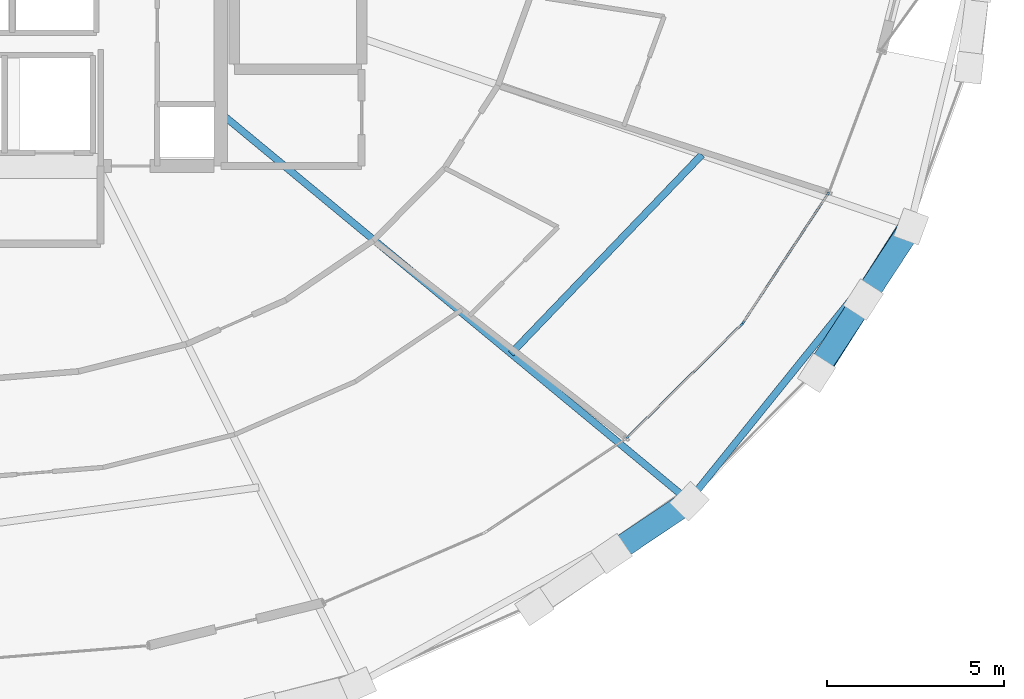
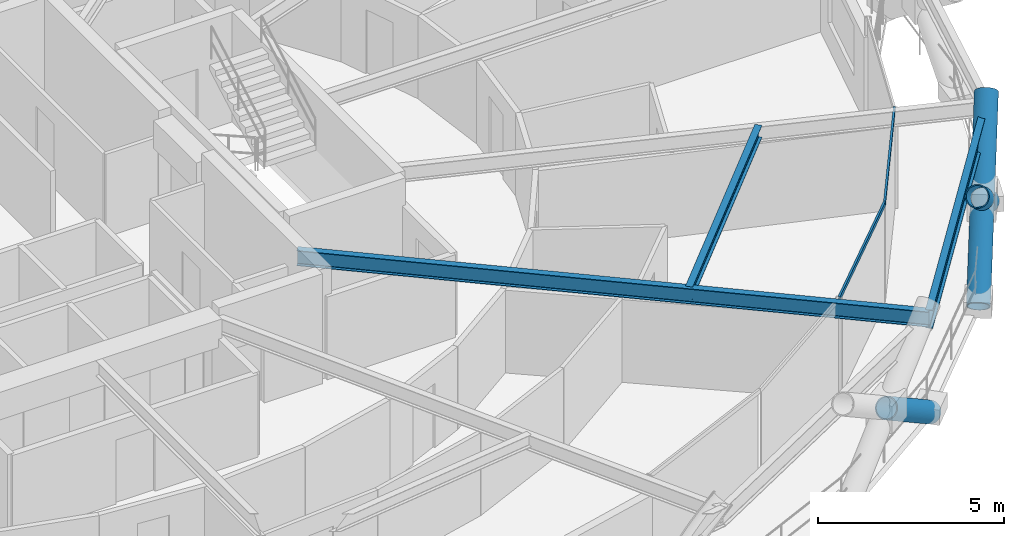
# One storey, part 8 of 21: 6 members, 3 beams, 1 element without a shape of its own.
"""IFC4 building model written with IfcOpenShell, lengths in metres."""

from ifc_helpers import new_model, si_unit, direction, frame, origin, origin_2d, place, context, subcontext, project, spatial, hollow_rectangle, hollow_circle, i_section, extrude, material, layer, layer_set, material_profile, profile_set, type_object, element, aggregate, save


model = new_model("IFC4")

# Units and contexts
model_context = context("Model", 3, precision=1e-05, world=origin(), true_north=direction((0.0, 1.0)))
body_context = subcontext(model_context, "Body", "Model", "MODEL_VIEW")
ifc_project = project(units=[si_unit("LENGTHUNIT", "METRE"), si_unit("AREAUNIT", "SQUARE_METRE"), si_unit("VOLUMEUNIT", "CUBIC_METRE"), si_unit("PLANEANGLEUNIT", "RADIAN"), si_unit("MASSUNIT", "GRAM", prefix="KILO")], contexts=[model_context])

# Site, building, storey
site_placement = place(None, origin())
site = spatial("IfcSite", under=ifc_project, at=site_placement, CompositionType="ELEMENT")
building_placement = place(site_placement, origin())
building = spatial("IfcBuilding", under=site, at=building_placement, Name="Veldorina Hangang Commons", CompositionType="ELEMENT")
storey_placement = place(building_placement, frame((0.0, 0.0, 91.60009765625)))
storey = spatial("IfcBuildingStorey", under=building, at=storey_placement, Name="L23", CompositionType="ELEMENT", Elevation=91.60009765625)

# Beams
ifc_material_1 = material(Name="Steel SM420-TMC", Category="steel")
ifc_material_profile_1 = material_profile(ifc_material_1, i_section(OverallWidth=0.199951171875, OverallDepth=0.5, WebThickness=0.010009765625, FlangeThickness=0.01611328125, FilletRadius=0.01611328125, at=origin_2d()), Name="H-500x200x10x16")
ifc_profile_set_1 = profile_set([ifc_material_profile_1], Name="Steel SM420-TMC")
beam_type_1 = type_object("IfcBeamType", Name="BM-FG500", PredefinedType="BEAM", material=ifc_profile_set_1)
beam_1_placement = place(storey_placement, frame((39.199951171875, 18.0380859375, 3.08984375), z_axis=(0.77021881672, -0.637779722451, 0.0), x_axis=(0.637779722451, 0.77021881672, 0.0)))
element("IfcBeam", 1, at=beam_1_placement, inside=storey, type_object=beam_type_1, Name="L23 radial floor girder 15", PredefinedType="BEAM", context=body_context, shape_type="SweptSolid", body=[
    extrude(i_section(OverallWidth=0.199951171875, OverallDepth=0.5, WebThickness=0.010009765625, FlangeThickness=0.01611328125, FilletRadius=0.01611328125, at=origin_2d()), origin(), (0.0, 0.0, 1.0), 17.1787109375),
])
ifc_material_2 = material(Name="Steel SM355-TMC", Category="steel")
ifc_material_profile_2 = material_profile(ifc_material_2, i_section(OverallWidth=0.199951171875, OverallDepth=0.39990234375, WebThickness=0.008056640625, FlangeThickness=0.012939453125, FilletRadius=0.012939453125, at=origin_2d()), Name="H-400x200x8x13")
ifc_profile_set_2 = profile_set([ifc_material_profile_2], Name="Steel SM355-TMC")
beam_type_2 = type_object("IfcBeamType", Name="BM-JST400", PredefinedType="JOIST", material=ifc_profile_set_2)
beam_2_placement = place(storey_placement, frame((47.4033203125, 11.2451171875, 3.139892578125), z_axis=(0.692514217246, 0.721404227124, 0.0), x_axis=(-0.721404227124, 0.692514217246, 0.0)))
element("IfcBeam", 2, at=beam_2_placement, inside=storey, type_object=beam_type_2, Name="L23 secondary floor joist 15", PredefinedType="JOIST", context=body_context, shape_type="SweptSolid", body=[
    extrude(i_section(OverallWidth=0.199951171875, OverallDepth=0.39990234375, WebThickness=0.008056640625, FlangeThickness=0.012939453125, FilletRadius=0.012939453125, at=origin_2d()), origin(), (0.0, 0.0, 1.0), 7.79150390625),
])
ifc_material_profile_3 = material_profile(ifc_material_1, i_section(OverallWidth=0.199951171875, OverallDepth=0.60009765625, WebThickness=0.010986328125, FlangeThickness=0.01708984375, FilletRadius=0.01806640625, at=origin_2d()), Name="H-600x200x11x17")
ifc_profile_set_3 = profile_set([ifc_material_profile_3], Name="Steel SM420-TMC")
beam_type_3 = type_object("IfcBeamType", Name="BM-RB600", PredefinedType="BEAM", material=ifc_profile_set_3)
beam_3_placement = place(storey_placement, frame((52.431396484375, 7.081787109375, 3.039794921875), z_axis=(0.62795529061, 0.778249415673, 0.0), x_axis=(-0.778249415673, 0.62795529061, 0.0)))
element("IfcBeam", 3, at=beam_3_placement, inside=storey, type_object=beam_type_3, Name="L23 perimeter hoop ring beam 28", PredefinedType="BEAM", context=body_context, shape_type="SweptSolid", body=[
    extrude(i_section(OverallWidth=0.199951171875, OverallDepth=0.60009765625, WebThickness=0.010986328125, FlangeThickness=0.01708984375, FilletRadius=0.01806640625, at=origin_2d()), origin(), (0.0, 0.0, 1.0), 9.973876953125),
])

# Curtain wall, members
ifc_material_3 = material(Name="Glass Low-E Triple IGU", Category="glass")
ifc_layer = layer(ifc_material_3, 0.179931640625)
ifc_layer_set = layer_set([ifc_layer], Name="Glass Low-E Triple IGU")
curtain_wall_type = type_object("IfcCurtainWallType", Name="CW-SYS-Z1", PredefinedType="NOTDEFINED", material=ifc_layer_set)
curtain_wall_placement = place(storey_placement, origin())
curtain_wall = element("IfcCurtainWall", 4, at=curtain_wall_placement, inside=storey, type_object=curtain_wall_type, Name="L23 unitised curtain wall CW-L23-R2", PredefinedType="NOTDEFINED")
ifc_material_4 = material(Name="Aluminium Anodized AA6063-T6", Category="aluminium")
ifc_material_profile_4 = material_profile(ifc_material_4, hollow_rectangle(XDim=0.06005859375, YDim=0.139892578125, WallThickness=0.00341796875, at=origin_2d()), Name="ALU-RHS-140x60x3.5")
ifc_profile_set_4 = profile_set([ifc_material_profile_4], Name="Aluminium Anodized AA6063-T6")
member_type_1 = type_object("IfcMemberType", Name="CW-TRN-140", PredefinedType="USERDEFINED", material=ifc_profile_set_4)
member_1_placement = place(storey_placement, frame((50.668701171875, 8.85009765625, 3.260009765625), z_axis=(0.711034841158, 0.70315677815, 0.0), x_axis=(-0.70315677815, 0.711034841158, 0.0)))
member_1 = element("IfcMember", 5, at=member_1_placement, type_object=member_type_1, Name="CW-L23-R2 facet 3 transom 1", ObjectType="TRANSOM", PredefinedType="USERDEFINED", context=body_context, shape_type="SweptSolid", body=[
    extrude(hollow_rectangle(XDim=0.06005859375, YDim=0.139892578125, WallThickness=0.00341796875, at=origin_2d()), origin(), (0.0, 0.0, 1.0), 4.617431640625),
])
member_2_placement = place(storey_placement, frame((53.951904296875, 12.096923828125, 3.260009765625), z_axis=(0.550093569957, 0.835103026154, 0.0), x_axis=(-0.835103026154, 0.550093569957, 0.0)))
member_2 = element("IfcMember", 6, at=member_2_placement, type_object=member_type_1, Name="CW-L23-R2 facet 4 transom 1", ObjectType="TRANSOM", PredefinedType="USERDEFINED", context=body_context, shape_type="SweptSolid", body=[
    extrude(hollow_rectangle(XDim=0.06005859375, YDim=0.139892578125, WallThickness=0.00341796875, at=origin_2d()), origin(), (0.0, 0.0, 1.0), 4.435546875),
])
aggregate(curtain_wall, [member_1, member_2])

# Members
ifc_material_5 = material(Name="Steel SM460-TMC", Category="steel")
ifc_material_profile_5 = material_profile(ifc_material_5, hollow_circle(Radius=0.324951171875, WallThickness=0.031982421875, at=origin_2d()), Name="CHS-650x32")
ifc_profile_set_5 = profile_set([ifc_material_profile_5], Name="Steel SM460-TMC")
member_type_2 = type_object("IfcMemberType", Name="DG-CHS650", PredefinedType="BRACE", material=ifc_profile_set_5)
member_3_placement = place(storey_placement, frame((52.45068359375, 7.068359375, 0.0), z_axis=(-0.686639347115, -0.461642754664, 0.561615859872), x_axis=(0.557945143061, -0.829877832777, 0.0)))
element("IfcMember", 7, at=member_3_placement, inside=storey, type_object=member_type_2, Name="L23 split perimeter diagrid lower brace 28", PredefinedType="BRACE", context=body_context, shape_type="SweptSolid", body=[
    extrude(hollow_circle(Radius=0.324951171875, WallThickness=0.031982421875, at=origin_2d()), origin(), (0.0, 0.0, 1.0), 3.20654296875),
])
member_4_placement = place(storey_placement, frame((56.04736328125, 10.697021484375, 0.0), z_axis=(0.433561130593, 0.680583626193, 0.590618890484), x_axis=(-0.843401810794, 0.53728333824, 0.0)))
element("IfcMember", 8, at=member_4_placement, inside=storey, type_object=member_type_2, Name="L23 continuous perimeter diagrid brace 29", PredefinedType="BRACE", context=body_context, shape_type="SweptSolid", body=[
    extrude(hollow_circle(Radius=0.324951171875, WallThickness=0.031982421875, at=origin_2d()), origin(), (0.0, 0.0, 1.0), 6.094970703125),
])
member_5_placement = place(storey_placement, frame((58.719970703125, 14.836669921875, 0.0), z_axis=(-0.442188949022, -0.67591282591, 0.589585265363), x_axis=(0.83683011579, -0.547462653802, 0.0)))
element("IfcMember", 9, at=member_5_placement, inside=storey, type_object=member_type_2, Name="L23 split perimeter diagrid lower brace 30", PredefinedType="BRACE", context=body_context, shape_type="SweptSolid", body=[
    extrude(hollow_circle(Radius=0.324951171875, WallThickness=0.031982421875, at=origin_2d()), origin(), (0.0, 0.0, 1.0), 3.05419921875),
])
member_6_placement = place(storey_placement, frame((57.369384765625, 12.772216796875, 1.80078125), z_axis=(-0.44205179453, -0.675999205789, 0.589589081247), x_axis=(0.836939946708, -0.547294733763, 0.0)))
element("IfcMember", 10, at=member_6_placement, inside=storey, type_object=member_type_2, Name="L23 split perimeter diagrid upper brace 30", PredefinedType="BRACE", context=body_context, shape_type="SweptSolid", body=[
    extrude(hollow_circle(Radius=0.324951171875, WallThickness=0.031982421875, at=origin_2d()), origin(), (0.0, 0.0, 1.0), 3.051513671875),
])

save(model, "model.ifc")
